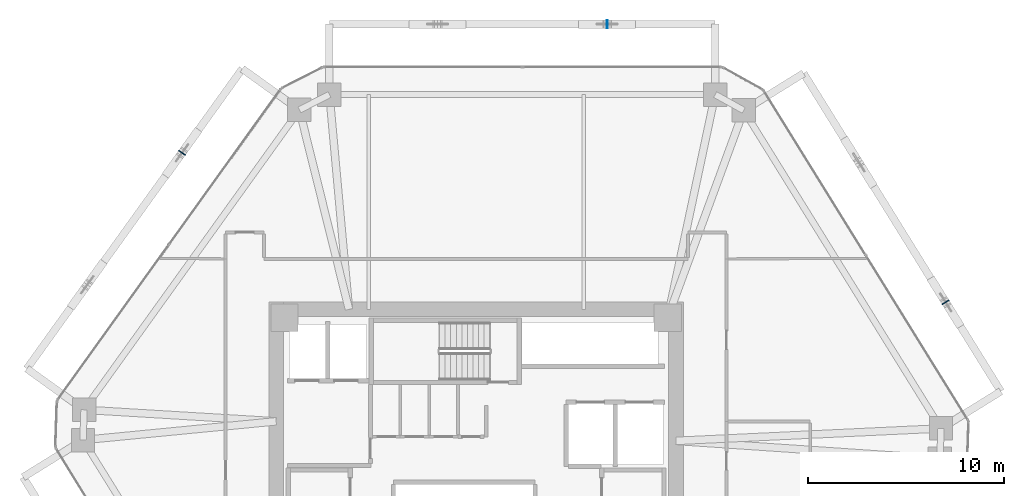
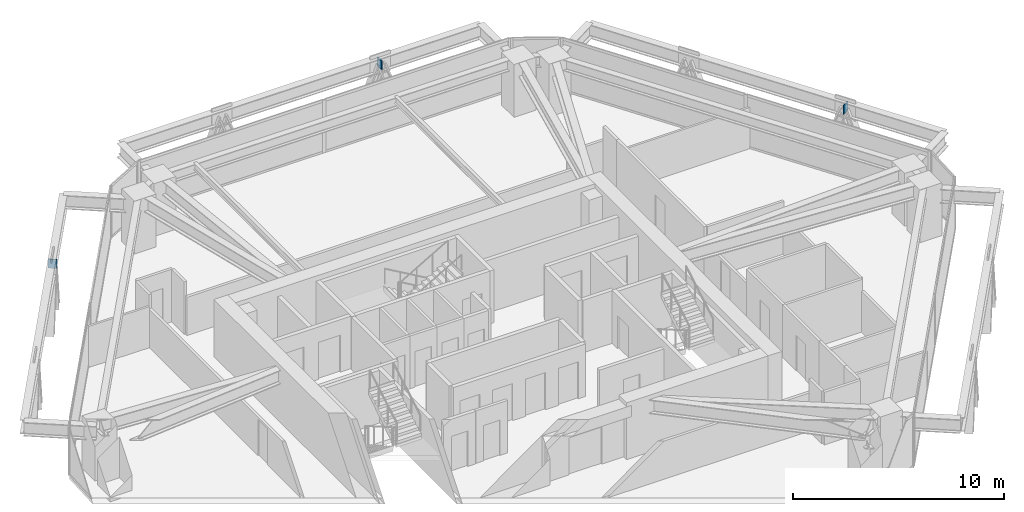
# One storey, part 11 of 15: 3 plates.
"""IFC4 building model written with IfcOpenShell, lengths in metres."""

from ifc_helpers import new_model, si_unit, direction, frame, origin, origin_2d, place, context, subcontext, project, spatial, rectangle, extrude, source, transform, mapped, material, layer, layer_set, type_object, type_shapes, element, save


model = new_model("IFC4")

# Units and contexts
model_context = context("Model", 3, precision=1e-05, world=origin(), true_north=direction((0.0, 1.0)))
body_context = subcontext(model_context, "Body", "Model", "MODEL_VIEW")
ifc_project = project(units=[si_unit("LENGTHUNIT", "METRE"), si_unit("AREAUNIT", "SQUARE_METRE"), si_unit("VOLUMEUNIT", "CUBIC_METRE"), si_unit("PLANEANGLEUNIT", "RADIAN"), si_unit("MASSUNIT", "GRAM", prefix="KILO")], contexts=[model_context])

# Site, building, storey
site_placement = place(None, origin())
site = spatial("IfcSite", under=ifc_project, at=site_placement, CompositionType="ELEMENT")
building_placement = place(site_placement, origin())
building = spatial("IfcBuilding", under=site, at=building_placement, Name="Durnholm Broadcast Tower", CompositionType="ELEMENT")
storey_placement = place(building_placement, frame((0.0, 0.0, 97.5)))
storey = spatial("IfcBuildingStorey", under=building, at=storey_placement, Name="L25", CompositionType="ELEMENT", Elevation=97.5)

# Plates
ifc_material = material(Name="Steel ASTM A572 Grade 50", Category="steel")
ifc_layer = layer(ifc_material, 0.044921875)
ifc_layer_set = layer_set([ifc_layer], Name="Steel ASTM A572 Grade 50")
plate_type = type_object("IfcPlateType", Name="PLT-KN-STIF", PredefinedType="SHEET", material=ifc_layer_set)
shared_shape = source(origin(), body_context, "Body", "SweptSolid", [
    extrude(rectangle(XDim=0.044921875, YDim=0.419921875, at=origin_2d()), origin(), (0.0, 0.0, 1.0), 0.52001953125),
])
type_shapes(plate_type, [shared_shape])
for number, where, z_axis, x_axis, name in (
    (1, (24.01513671875, 8.58837890625, 2.048583984375), (0.0, 0.0, 1.0), (-0.527104121728, 0.849800708906, 0.0), "L25 welded diagrid node stiffener plate F3"),
    (2, (6.7060546875, 22.81494140625, 2.048583984375), (0.0, 0.0, 1.0), (-1.0, 0.0, 0.0), "L25 welded diagrid node stiffener plate F4"),
    (3, (-15.040771484375, 16.234375, 2.048583984375), (0.0, 0.0, 1.0), (-0.583399467156, -0.812185361677, 0.0), "L25 welded diagrid node stiffener plate F5"),
):
    element("IfcPlate", number, at=place(storey_placement, frame(where, z_axis=z_axis, x_axis=x_axis)), inside=storey, type_object=plate_type, Name=name, PredefinedType="SHEET", context=body_context, shape_type="MappedRepresentation", body=[
        mapped(shared_shape, transform((0.0, 0.0, 0.0), x_axis=(1.0, 0.0, 0.0), y_axis=(0.0, 1.0, 0.0), z_axis=(0.0, 0.0, 1.0), scale=1.0)),
    ])

save(model, "model.ifc")
